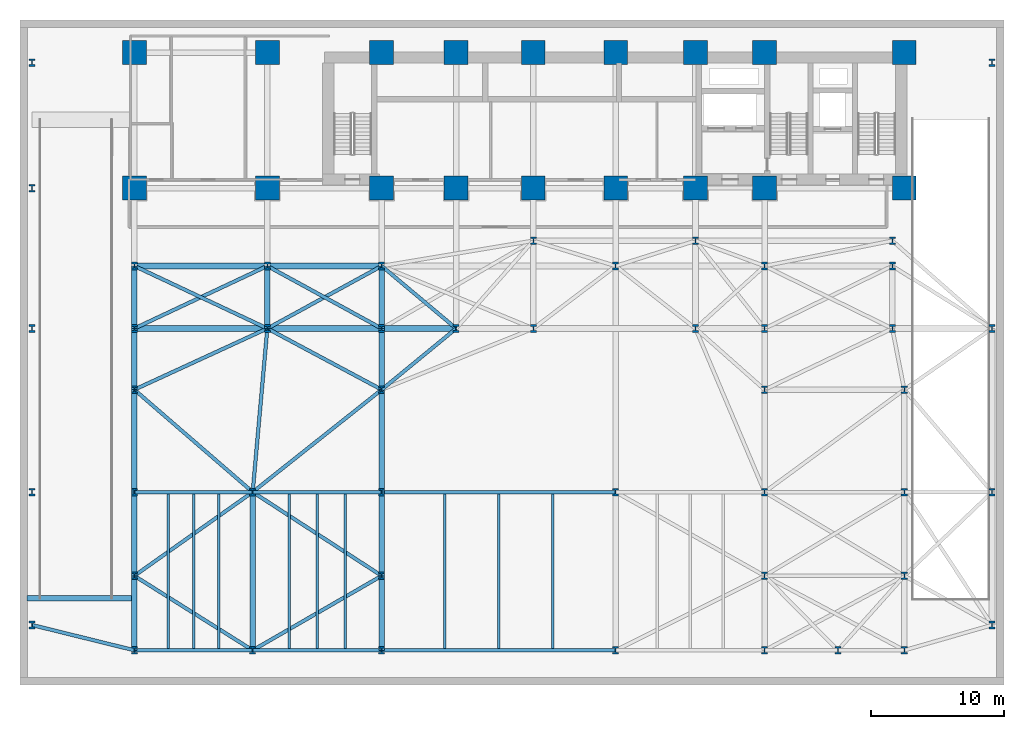
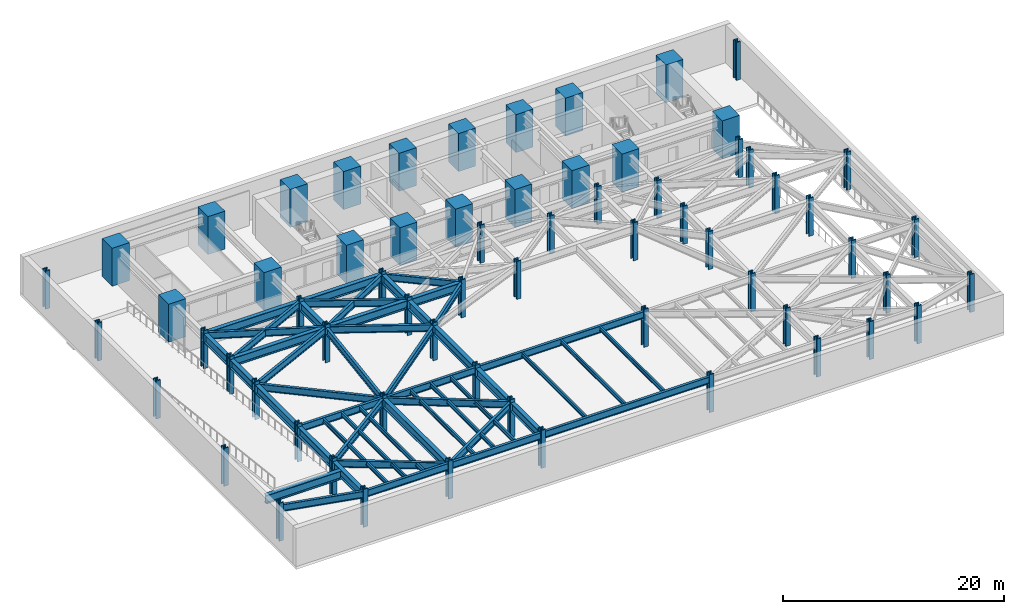
# One storey, part 1 of 11: 65 columns, 49 beams.
"""IFC4 building model written with IfcOpenShell, lengths in metres."""

from ifc_helpers import new_model, si_unit, direction, frame, origin, origin_2d, place, context, subcontext, project, spatial, rectangle, i_section, extrude, material, material_profile, profile_set, type_object, element, save


model = new_model("IFC4")

# Units and contexts
model_context = context("Model", 3, precision=1e-05, world=origin(), true_north=direction((0.0, 1.0)))
body_context = subcontext(model_context, "Body", "Model", "MODEL_VIEW")
ifc_project = project(units=[si_unit("LENGTHUNIT", "METRE"), si_unit("AREAUNIT", "SQUARE_METRE"), si_unit("VOLUMEUNIT", "CUBIC_METRE"), si_unit("PLANEANGLEUNIT", "RADIAN"), si_unit("MASSUNIT", "GRAM", prefix="KILO")], contexts=[model_context])

# Site, building, storey
site_placement = place(None, origin())
site = spatial("IfcSite", under=ifc_project, at=site_placement, CompositionType="ELEMENT")
building_placement = place(site_placement, origin())
building = spatial("IfcBuilding", under=site, at=building_placement, Name="Kravanh Interchange Tower", CompositionType="ELEMENT")
storey_placement = place(building_placement, frame((0.0, 0.0, -4.199951171875)))
storey = spatial("IfcBuildingStorey", under=building, at=storey_placement, Name="B1", CompositionType="ELEMENT", Elevation=-4.199951171875)

# Columns
ifc_material_1 = material(Name="Concrete C80/95", Category="concrete")
ifc_material_profile_1 = material_profile(ifc_material_1, rectangle(XDim=1.800048828125, YDim=1.800048828125, at=origin_2d()), Name="RC1800X1800")
ifc_profile_set_1 = profile_set([ifc_material_profile_1], Name="Concrete C80/95")
column_type_1 = type_object("IfcColumnType", Name="Column RC1800X1800 Concrete C80/95", PredefinedType="COLUMN", material=ifc_profile_set_1)
for number, where, z_axis, x_axis, name in (
    (1, (66.5, 47.550048828125, 0.0), (0.0, 0.0, 1.0), (1.0, 0.0, 0.0), "B1 Column CS01"),
    (2, (56.0, 47.550048828125, 0.0), (0.0, 0.0, 1.0), (1.0, 0.0, 0.0), "B1 Column CS02"),
    (3, (66.5, 37.35009765625, 0.0), (0.0, 0.0, 1.0), (1.0, 0.0, 0.0), "B1 Column CS03"),
    (4, (56.0, 37.35009765625, 0.0), (0.0, 0.0, 1.0), (1.0, 0.0, 0.0), "B1 Column CS04"),
    (5, (50.800048828125, 47.550048828125, 0.0), (0.0, 0.0, 1.0), (1.0, 0.0, 0.0), "B1 Column CS05"),
    (6, (50.800048828125, 37.35009765625, 0.0), (0.0, 0.0, 1.0), (1.0, 0.0, 0.0), "B1 Column CS06"),
    (7, (44.800048828125, 37.35009765625, 0.0), (0.0, 0.0, 1.0), (1.0, 0.0, 0.0), "B1 Column CS07"),
    (8, (44.800048828125, 47.550048828125, 0.0), (0.0, 0.0, 1.0), (1.0, 0.0, 0.0), "B1 Column CS08"),
    (9, (38.60009765625, 37.35009765625, 0.0), (0.0, 0.0, 1.0), (1.0, 0.0, 0.0), "B1 Column CS09"),
    (10, (38.60009765625, 47.550048828125, 0.0), (0.0, 0.0, 1.0), (1.0, 0.0, 0.0), "B1 Column CS10"),
    (11, (32.800048828125, 37.35009765625, 0.0), (0.0, 0.0, 1.0), (1.0, 0.0, 0.0), "B1 Column CS11"),
    (12, (32.800048828125, 47.550048828125, 0.0), (0.0, 0.0, 1.0), (1.0, 0.0, 0.0), "B1 Column CS12"),
    (13, (27.199951171875, 37.35009765625, 0.0), (0.0, 0.0, 1.0), (1.0, 0.0, 0.0), "B1 Column CS13"),
    (14, (27.199951171875, 47.550048828125, 0.0), (0.0, 0.0, 1.0), (1.0, 0.0, 0.0), "B1 Column CS14"),
    (15, (18.60009765625, 37.35009765625, 0.0), (0.0, 0.0, 1.0), (1.0, 0.0, 0.0), "B1 Column CS17"),
    (16, (18.60009765625, 47.550048828125, 0.0), (0.0, 0.0, 1.0), (1.0, 0.0, 0.0), "B1 Column CS18"),
    (17, (8.60009765625, 37.35009765625, 0.0), (0.0, 0.0, 1.0), (1.0, 0.0, 0.0), "B1 Column CS23"),
    (18, (8.60009765625, 47.550048828125, 0.0), (0.0, 0.0, 1.0), (1.0, 0.0, 0.0), "B1 Column CS24"),
):
    element("IfcColumn", number, at=place(storey_placement, frame(where, z_axis=z_axis, x_axis=x_axis)), inside=storey, type_object=column_type_1, Name=name, PredefinedType="COLUMN", context=body_context, shape_type="SweptSolid", body=[
        extrude(rectangle(XDim=1.800048828125, YDim=1.800048828125, at=origin_2d()), origin(), (0.0, 0.0, 1.0), 4.199951171875),
    ])
ifc_material_2 = material(Name="Structural Steel S450", Category="steel")
ifc_material_profile_2 = material_profile(ifc_material_2, i_section(OverallWidth=0.4541015625, OverallDepth=0.569091796875, WebThickness=0.077880859375, FlangeThickness=0.124755859375, FilletRadius=0.030029296875, at=origin_2d()), Name="W14X730")
ifc_profile_set_2 = profile_set([ifc_material_profile_2], Name="Structural Steel S450")
column_type_2 = type_object("IfcColumnType", Name="Column W14X730 Structural Steel S450", PredefinedType="COLUMN", material=ifc_profile_set_2)
for number, where, z_axis, x_axis, name in (
    (19, (8.60009765625, 2.60009765625, 0.0), (0.0, 0.0, 1.0), (1.0, 0.0, 0.0), "B1 Column CP01"),
    (20, (17.5, 2.60009765625, 0.0), (0.0, 0.0, 1.0), (1.0, 0.0, 0.0), "B1 Column CP02"),
    (21, (27.199951171875, 2.60009765625, 0.0), (0.0, 0.0, 1.0), (1.0, 0.0, 0.0), "B1 Column CP03"),
    (22, (44.800048828125, 2.60009765625, 0.0), (0.0, 0.0, 1.0), (1.0, 0.0, 0.0), "B1 Column CP04"),
    (23, (56.0, 2.60009765625, 0.0), (0.0, 0.0, 1.0), (1.0, 0.0, 0.0), "B1 Column CP05"),
    (24, (61.5, 2.60009765625, 0.0), (0.0, 0.0, 1.0), (1.0, 0.0, 0.0), "B1 Column CP05B"),
    (25, (66.5, 2.60009765625, 0.0), (0.0, 0.0, 1.0), (1.0, 0.0, 0.0), "B1 Column CP06"),
    (26, (8.60009765625, 8.199951171875, 0.0), (0.0, 0.0, 1.0), (1.0, 0.0, 0.0), "B1 Column CP06B"),
    (27, (27.199951171875, 8.199951171875, 0.0), (0.0, 0.0, 1.0), (1.0, 0.0, 0.0), "B1 Column CP06C"),
    (28, (56.0, 8.199951171875, 0.0), (0.0, 0.0, 1.0), (1.0, 0.0, 0.0), "B1 Column CP06D"),
    (29, (66.5, 8.199951171875, 0.0), (0.0, 0.0, 1.0), (1.0, 0.0, 0.0), "B1 Column CP06E"),
    (30, (8.60009765625, 14.5, 0.0), (0.0, 0.0, 1.0), (1.0, 0.0, 0.0), "B1 Column CP07"),
    (31, (17.5, 14.5, 0.0), (0.0, 0.0, 1.0), (1.0, 0.0, 0.0), "B1 Column CP08"),
    (32, (27.199951171875, 14.5, 0.0), (0.0, 0.0, 1.0), (1.0, 0.0, 0.0), "B1 Column CP09"),
    (33, (44.800048828125, 14.5, 0.0), (0.0, 0.0, 1.0), (1.0, 0.0, 0.0), "B1 Column CP10"),
    (34, (56.0, 14.5, 0.0), (0.0, 0.0, 1.0), (1.0, 0.0, 0.0), "B1 Column CP11"),
    (35, (66.5, 14.5, 0.0), (0.0, 0.0, 1.0), (1.0, 0.0, 0.0), "B1 Column CP12"),
    (36, (8.60009765625, 22.199951171875, 0.0), (0.0, 0.0, 1.0), (1.0, 0.0, 0.0), "B1 Column CP12B"),
    (37, (27.199951171875, 22.199951171875, 0.0), (0.0, 0.0, 1.0), (1.0, 0.0, 0.0), "B1 Column CP12C"),
    (38, (56.0, 22.199951171875, 0.0), (0.0, 0.0, 1.0), (1.0, 0.0, 0.0), "B1 Column CP12D"),
    (39, (66.5, 22.199951171875, 0.0), (0.0, 0.0, 1.0), (1.0, 0.0, 0.0), "B1 Column CP12E"),
    (40, (8.60009765625, 26.800048828125, 0.0), (0.0, 0.0, 1.0), (1.0, 0.0, 0.0), "B1 Column CP13"),
    (41, (18.60009765625, 26.800048828125, 0.0), (0.0, 0.0, 1.0), (1.0, 0.0, 0.0), "B1 Column CP14"),
    (42, (27.199951171875, 26.800048828125, 0.0), (0.0, 0.0, 1.0), (1.0, 0.0, 0.0), "B1 Column CP15"),
    (43, (32.800048828125, 26.800048828125, 0.0), (0.0, 0.0, 1.0), (1.0, 0.0, 0.0), "B1 Column CP16"),
    (44, (38.60009765625, 26.800048828125, 0.0), (0.0, 0.0, 1.0), (1.0, 0.0, 0.0), "B1 Column CP16B"),
    (45, (50.800048828125, 26.800048828125, 0.0), (0.0, 0.0, 1.0), (1.0, 0.0, 0.0), "B1 Column CP17"),
    (46, (56.0, 26.800048828125, 0.0), (0.0, 0.0, 1.0), (1.0, 0.0, 0.0), "B1 Column CP18"),
    (47, (65.60009765625, 26.800048828125, 0.0), (0.0, 0.0, 1.0), (1.0, 0.0, 0.0), "B1 Column CP19"),
    (48, (8.60009765625, 31.5, 0.0), (0.0, 0.0, 1.0), (1.0, 0.0, 0.0), "B1 Column CP19B"),
    (49, (18.60009765625, 31.5, 0.0), (0.0, 0.0, 1.0), (1.0, 0.0, 0.0), "B1 Column CP20"),
    (50, (27.199951171875, 31.5, 0.0), (0.0, 0.0, 1.0), (1.0, 0.0, 0.0), "B1 Column CP21"),
    (51, (44.800048828125, 31.5, 0.0), (0.0, 0.0, 1.0), (1.0, 0.0, 0.0), "B1 Column CP22"),
    (52, (56.0, 31.5, 0.0), (0.0, 0.0, 1.0), (1.0, 0.0, 0.0), "B1 Column CP23"),
    (53, (65.60009765625, 31.5, 0.0), (0.0, 0.0, 1.0), (1.0, 0.0, 0.0), "B1 Column CP24"),
    (54, (0.89990234375, 4.5, 0.0), (0.0, 0.0, 1.0), (1.0, 0.0, 0.0), "B1 Column CP25"),
    (55, (0.89990234375, 14.5, 0.0), (0.0, 0.0, 1.0), (1.0, 0.0, 0.0), "B1 Column CP25B"),
    (56, (0.89990234375, 26.800048828125, 0.0), (0.0, 0.0, 1.0), (1.0, 0.0, 0.0), "B1 Column CP25C"),
    (57, (0.89990234375, 37.35009765625, 0.0), (0.0, 0.0, 1.0), (1.0, 0.0, 0.0), "B1 Column CP25D"),
    (58, (0.89990234375, 46.800048828125, 0.0), (0.0, 0.0, 1.0), (1.0, 0.0, 0.0), "B1 Column CP26"),
    (59, (73.10009765625, 4.5, 0.0), (0.0, 0.0, 1.0), (1.0, 0.0, 0.0), "B1 Column CP27"),
    (60, (73.10009765625, 14.5, 0.0), (0.0, 0.0, 1.0), (1.0, 0.0, 0.0), "B1 Column CP27B"),
    (61, (73.10009765625, 26.800048828125, 0.0), (0.0, 0.0, 1.0), (1.0, 0.0, 0.0), "B1 Column CP27C"),
    (62, (73.10009765625, 46.800048828125, 0.0), (0.0, 0.0, 1.0), (1.0, 0.0, 0.0), "B1 Column CP28"),
    (63, (38.60009765625, 33.39990234375, 0.0), (0.0, 0.0, 1.0), (1.0, 0.0, 0.0), "B1 Column CP_M1"),
    (64, (50.800048828125, 33.39990234375, 0.0), (0.0, 0.0, 1.0), (1.0, 0.0, 0.0), "B1 Column CP_M2"),
    (65, (65.60009765625, 33.39990234375, 0.0), (0.0, 0.0, 1.0), (1.0, 0.0, 0.0), "B1 Column CP_M3"),
):
    element("IfcColumn", number, at=place(storey_placement, frame(where, z_axis=z_axis, x_axis=x_axis)), inside=storey, type_object=column_type_2, Name=name, PredefinedType="COLUMN", context=body_context, shape_type="SweptSolid", body=[
        extrude(i_section(OverallWidth=0.4541015625, OverallDepth=0.569091796875, WebThickness=0.077880859375, FlangeThickness=0.124755859375, FilletRadius=0.030029296875, at=origin_2d()), origin(), (0.0, 0.0, 1.0), 4.199951171875),
    ])

# Beams
ifc_material_3 = material(Name="Structural Steel S450", Category="steel")
ifc_material_profile_3 = material_profile(ifc_material_3, i_section(OverallWidth=0.423095703125, OverallDepth=0.947998046875, WebThickness=0.02392578125, FlangeThickness=0.042724609375, FilletRadius=0.028076171875, at=origin_2d()), Name="W36X302")
ifc_profile_set_3 = profile_set([ifc_material_profile_3], Name="Structural Steel S450")
beam_type_1 = type_object("IfcBeamType", Name="Floor Beam W36X302 Structural Steel S450", PredefinedType="BEAM", material=ifc_profile_set_3)
beam_1_placement = place(storey_placement, frame((8.60009765625, 2.60009765625, 3.3759765625), z_axis=(0.0, 1.0, 0.0), x_axis=(-1.0, 0.0, 0.0)))
element("IfcBeam", 66, at=beam_1_placement, inside=storey, type_object=beam_type_1, Name="B1 Primary Floor Girder 1", PredefinedType="BEAM", context=body_context, shape_type="SweptSolid", body=[
    extrude(i_section(OverallWidth=0.423095703125, OverallDepth=0.947998046875, WebThickness=0.02392578125, FlangeThickness=0.042724609375, FilletRadius=0.028076171875, at=origin_2d()), origin(), (0.0, 0.0, 1.0), 5.599853515625),
])
beam_2_placement = place(storey_placement, frame((17.5, 2.60009765625, 3.3759765625), z_axis=(0.0, 1.0, 0.0), x_axis=(-1.0, 0.0, 0.0)))
element("IfcBeam", 67, at=beam_2_placement, inside=storey, type_object=beam_type_1, Name="B1 Primary Floor Girder 7", PredefinedType="BEAM", context=body_context, shape_type="SweptSolid", body=[
    extrude(i_section(OverallWidth=0.423095703125, OverallDepth=0.947998046875, WebThickness=0.02392578125, FlangeThickness=0.042724609375, FilletRadius=0.028076171875, at=origin_2d()), origin(), (0.0, 0.0, 1.0), 11.89990234375),
])
beam_3_placement = place(storey_placement, frame((27.199951171875, 2.60009765625, 3.3759765625), z_axis=(0.0, 1.0, 0.0), x_axis=(-1.0, 0.0, 0.0)))
element("IfcBeam", 68, at=beam_3_placement, inside=storey, type_object=beam_type_1, Name="B1 Primary Floor Girder 8", PredefinedType="BEAM", context=body_context, shape_type="SweptSolid", body=[
    extrude(i_section(OverallWidth=0.423095703125, OverallDepth=0.947998046875, WebThickness=0.02392578125, FlangeThickness=0.042724609375, FilletRadius=0.028076171875, at=origin_2d()), origin(), (0.0, 0.0, 1.0), 5.599853515625),
])
for number, where, z_axis, x_axis, name in (
    (69, (8.60009765625, 8.199951171875, 3.3759765625), (0.0, 1.0, 0.0), (-1.0, 0.0, 0.0), "B1 Primary Floor Girder 23"),
    (70, (27.199951171875, 8.199951171875, 3.3759765625), (0.0, 1.0, 0.0), (-1.0, 0.0, 0.0), "B1 Primary Floor Girder 27"),
):
    element("IfcBeam", number, at=place(storey_placement, frame(where, z_axis=z_axis, x_axis=x_axis)), inside=storey, type_object=beam_type_1, Name=name, PredefinedType="BEAM", context=body_context, shape_type="SweptSolid", body=[
        extrude(i_section(OverallWidth=0.423095703125, OverallDepth=0.947998046875, WebThickness=0.02392578125, FlangeThickness=0.042724609375, FilletRadius=0.028076171875, at=origin_2d()), origin(), (0.0, 0.0, 1.0), 6.300048828125),
    ])
for number, where, z_axis, x_axis, name in (
    (71, (8.60009765625, 14.5, 3.3759765625), (0.0, 1.0, 0.0), (-1.0, 0.0, 0.0), "B1 Primary Floor Girder 37"),
    (72, (27.199951171875, 14.5, 3.3759765625), (0.0, 1.0, 0.0), (-1.0, 0.0, 0.0), "B1 Primary Floor Girder 45"),
):
    element("IfcBeam", number, at=place(storey_placement, frame(where, z_axis=z_axis, x_axis=x_axis)), inside=storey, type_object=beam_type_1, Name=name, PredefinedType="BEAM", context=body_context, shape_type="SweptSolid", body=[
        extrude(i_section(OverallWidth=0.423095703125, OverallDepth=0.947998046875, WebThickness=0.02392578125, FlangeThickness=0.042724609375, FilletRadius=0.028076171875, at=origin_2d()), origin(), (0.0, 0.0, 1.0), 7.699951171875),
    ])
for number, where, z_axis, x_axis, name in (
    (73, (8.60009765625, 22.199951171875, 3.3759765625), (0.0, 1.0, 0.0), (-1.0, 0.0, 0.0), "B1 Primary Floor Girder 57"),
    (74, (27.199951171875, 22.199951171875, 3.3759765625), (0.0, 1.0, 0.0), (-1.0, 0.0, 0.0), "B1 Primary Floor Girder 61"),
):
    element("IfcBeam", number, at=place(storey_placement, frame(where, z_axis=z_axis, x_axis=x_axis)), inside=storey, type_object=beam_type_1, Name=name, PredefinedType="BEAM", context=body_context, shape_type="SweptSolid", body=[
        extrude(i_section(OverallWidth=0.423095703125, OverallDepth=0.947998046875, WebThickness=0.02392578125, FlangeThickness=0.042724609375, FilletRadius=0.028076171875, at=origin_2d()), origin(), (0.0, 0.0, 1.0), 4.60009765625),
    ])
beam_4_placement = place(storey_placement, frame((8.60009765625, 26.800048828125, 3.3759765625), z_axis=(0.0, 1.0, 0.0), x_axis=(-1.0, 0.0, 0.0)))
element("IfcBeam", 75, at=beam_4_placement, inside=storey, type_object=beam_type_1, Name="B1 Primary Floor Girder 73", PredefinedType="BEAM", context=body_context, shape_type="SweptSolid", body=[
    extrude(i_section(OverallWidth=0.423095703125, OverallDepth=0.947998046875, WebThickness=0.02392578125, FlangeThickness=0.042724609375, FilletRadius=0.028076171875, at=origin_2d()), origin(), (0.0, 0.0, 1.0), 4.699951171875),
])
beam_5_placement = place(storey_placement, frame((8.60009765625, 26.800048828125, 3.3759765625), z_axis=(1.0, 0.0, 0.0), x_axis=(0.0, 1.0, 0.0)))
element("IfcBeam", 76, at=beam_5_placement, inside=storey, type_object=beam_type_1, Name="B1 Primary Floor Girder 75", PredefinedType="BEAM", context=body_context, shape_type="SweptSolid", body=[
    extrude(i_section(OverallWidth=0.423095703125, OverallDepth=0.947998046875, WebThickness=0.02392578125, FlangeThickness=0.042724609375, FilletRadius=0.028076171875, at=origin_2d()), origin(), (0.0, 0.0, 1.0), 10.0),
])
beam_6_placement = place(storey_placement, frame((18.60009765625, 26.800048828125, 3.3759765625), z_axis=(0.0, 1.0, 0.0), x_axis=(-1.0, 0.0, 0.0)))
element("IfcBeam", 77, at=beam_6_placement, inside=storey, type_object=beam_type_1, Name="B1 Primary Floor Girder 77", PredefinedType="BEAM", context=body_context, shape_type="SweptSolid", body=[
    extrude(i_section(OverallWidth=0.423095703125, OverallDepth=0.947998046875, WebThickness=0.02392578125, FlangeThickness=0.042724609375, FilletRadius=0.028076171875, at=origin_2d()), origin(), (0.0, 0.0, 1.0), 4.699951171875),
])
beam_7_placement = place(storey_placement, frame((18.60009765625, 26.800048828125, 3.3759765625), z_axis=(1.0, 0.0, 0.0), x_axis=(0.0, 1.0, 0.0)))
element("IfcBeam", 78, at=beam_7_placement, inside=storey, type_object=beam_type_1, Name="B1 Primary Floor Girder 78", PredefinedType="BEAM", context=body_context, shape_type="SweptSolid", body=[
    extrude(i_section(OverallWidth=0.423095703125, OverallDepth=0.947998046875, WebThickness=0.02392578125, FlangeThickness=0.042724609375, FilletRadius=0.028076171875, at=origin_2d()), origin(), (0.0, 0.0, 1.0), 8.599853515625),
])
beam_8_placement = place(storey_placement, frame((27.199951171875, 26.800048828125, 3.3759765625), z_axis=(0.0, 1.0, 0.0), x_axis=(-1.0, 0.0, 0.0)))
element("IfcBeam", 79, at=beam_8_placement, inside=storey, type_object=beam_type_1, Name="B1 Primary Floor Girder 81", PredefinedType="BEAM", context=body_context, shape_type="SweptSolid", body=[
    extrude(i_section(OverallWidth=0.423095703125, OverallDepth=0.947998046875, WebThickness=0.02392578125, FlangeThickness=0.042724609375, FilletRadius=0.028076171875, at=origin_2d()), origin(), (0.0, 0.0, 1.0), 4.699951171875),
])
beam_9_placement = place(storey_placement, frame((27.199951171875, 26.800048828125, 3.3759765625), z_axis=(1.0, 0.0, 0.0), x_axis=(0.0, 1.0, 0.0)))
element("IfcBeam", 80, at=beam_9_placement, inside=storey, type_object=beam_type_1, Name="B1 Primary Floor Girder 82", PredefinedType="BEAM", context=body_context, shape_type="SweptSolid", body=[
    extrude(i_section(OverallWidth=0.423095703125, OverallDepth=0.947998046875, WebThickness=0.02392578125, FlangeThickness=0.042724609375, FilletRadius=0.028076171875, at=origin_2d()), origin(), (0.0, 0.0, 1.0), 5.60009765625),
])
beam_10_placement = place(storey_placement, frame((8.60009765625, 31.5, 3.3759765625), z_axis=(1.0, 0.0, 0.0), x_axis=(0.0, 1.0, 0.0)))
element("IfcBeam", 81, at=beam_10_placement, inside=storey, type_object=beam_type_1, Name="B1 Primary Floor Girder 107", PredefinedType="BEAM", context=body_context, shape_type="SweptSolid", body=[
    extrude(i_section(OverallWidth=0.423095703125, OverallDepth=0.947998046875, WebThickness=0.02392578125, FlangeThickness=0.042724609375, FilletRadius=0.028076171875, at=origin_2d()), origin(), (0.0, 0.0, 1.0), 10.0),
])
beam_11_placement = place(storey_placement, frame((18.60009765625, 31.5, 3.3759765625), z_axis=(1.0, 0.0, 0.0), x_axis=(0.0, 1.0, 0.0)))
element("IfcBeam", 82, at=beam_11_placement, inside=storey, type_object=beam_type_1, Name="B1 Primary Floor Girder 109", PredefinedType="BEAM", context=body_context, shape_type="SweptSolid", body=[
    extrude(i_section(OverallWidth=0.423095703125, OverallDepth=0.947998046875, WebThickness=0.02392578125, FlangeThickness=0.042724609375, FilletRadius=0.028076171875, at=origin_2d()), origin(), (0.0, 0.0, 1.0), 8.599853515625),
])
beam_12_placement = place(storey_placement, frame((0.530029296875, 6.5, 3.3759765625), z_axis=(1.0, 0.0, 0.0), x_axis=(0.0, 1.0, 0.0)))
element("IfcBeam", 83, at=beam_12_placement, inside=storey, type_object=beam_type_1, Name="L00 Vehicle Ramp R2 Portal Support Beam", PredefinedType="BEAM", context=body_context, shape_type="SweptSolid", body=[
    extrude(i_section(OverallWidth=0.423095703125, OverallDepth=0.947998046875, WebThickness=0.02392578125, FlangeThickness=0.042724609375, FilletRadius=0.028076171875, at=origin_2d()), origin(), (0.0, 0.0, 1.0), 7.863525390625),
])
ifc_material_4 = material(Name="Structural Steel S355", Category="steel")
ifc_material_profile_4 = material_profile(ifc_material_4, i_section(OverallWidth=0.18994140625, OverallDepth=0.45703125, WebThickness=0.009033203125, FlangeThickness=0.014404296875, FilletRadius=0.01806640625, at=origin_2d()), Name="W18X50")
ifc_profile_set_4 = profile_set([ifc_material_profile_4], Name="Structural Steel S355")
beam_type_2 = type_object("IfcBeamType", Name="Floor Joist W18X50 Structural Steel S355", PredefinedType="JOIST", material=ifc_profile_set_4)
for number, where, z_axis, x_axis, name in (
    (84, (11.14990234375, 2.728515625, 3.621337890625), (0.0, 1.0, 0.0), (-1.0, 0.0, 0.0), "B1 Secondary Floor Joist 1"),
    (85, (13.050048828125, 2.728515625, 3.621337890625), (0.0, 1.0, 0.0), (-1.0, 0.0, 0.0), "B1 Secondary Floor Joist 2"),
    (86, (14.949951171875, 2.728515625, 3.621337890625), (0.0, 1.0, 0.0), (-1.0, 0.0, 0.0), "B1 Secondary Floor Joist 3"),
    (87, (20.25, 2.728515625, 3.621337890625), (0.0, 1.0, 0.0), (-1.0, 0.0, 0.0), "B1 Secondary Floor Joist 4"),
    (88, (22.35009765625, 2.728515625, 3.621337890625), (0.0, 1.0, 0.0), (-1.0, 0.0, 0.0), "B1 Secondary Floor Joist 5"),
    (89, (24.449951171875, 2.728515625, 3.621337890625), (0.0, 1.0, 0.0), (-1.0, 0.0, 0.0), "B1 Secondary Floor Joist 6"),
    (90, (31.925048828125, 2.728515625, 3.621337890625), (0.0, 1.0, 0.0), (-1.0, 0.0, 0.0), "B1 Secondary Floor Joist 7"),
    (91, (36.0, 2.728515625, 3.621337890625), (0.0, 1.0, 0.0), (-1.0, 0.0, 0.0), "B1 Secondary Floor Joist 8"),
    (92, (40.074951171875, 2.728515625, 3.621337890625), (0.0, 1.0, 0.0), (-1.0, 0.0, 0.0), "B1 Secondary Floor Joist 9"),
):
    element("IfcBeam", number, at=place(storey_placement, frame(where, z_axis=z_axis, x_axis=x_axis)), inside=storey, type_object=beam_type_2, Name=name, PredefinedType="JOIST", context=body_context, shape_type="SweptSolid", body=[
        extrude(i_section(OverallWidth=0.18994140625, OverallDepth=0.45703125, WebThickness=0.009033203125, FlangeThickness=0.014404296875, FilletRadius=0.01806640625, at=origin_2d()), origin(), (0.0, 0.0, 1.0), 11.64306640625),
    ])
ifc_material_5 = material(Name="Structural Steel S355", Category="steel")
ifc_material_profile_5 = material_profile(ifc_material_5, i_section(OverallWidth=0.26708984375, OverallDepth=0.761962890625, WebThickness=0.014404296875, FlangeThickness=0.021484375, FilletRadius=0.02490234375, at=origin_2d()), Name="W30X116")
ifc_profile_set_5 = profile_set([ifc_material_profile_5], Name="Structural Steel S355")
beam_type_3 = type_object("IfcBeamType", Name="Floor Spandrel W30X116 Structural Steel S355", PredefinedType="SPANDREL", material=ifc_profile_set_5)
beam_13_placement = place(storey_placement, frame((8.60009765625, 2.60009765625, 3.468994140625), z_axis=(-0.970883936595, 0.239550373956, 0.0), x_axis=(-0.239550373956, -0.970883936595, 0.0)))
element("IfcBeam", 93, at=beam_13_placement, inside=storey, type_object=beam_type_3, Name="B1 Perimeter Spandrel 2", PredefinedType="SPANDREL", context=body_context, shape_type="SweptSolid", body=[
    extrude(i_section(OverallWidth=0.26708984375, OverallDepth=0.761962890625, WebThickness=0.014404296875, FlangeThickness=0.021484375, FilletRadius=0.02490234375, at=origin_2d()), origin(), (0.0, 0.0, 1.0), 7.93115234375),
])
beam_14_placement = place(storey_placement, frame((8.60009765625, 2.60009765625, 3.468994140625), z_axis=(1.0, 0.0, 0.0), x_axis=(0.0, 1.0, 0.0)))
element("IfcBeam", 94, at=beam_14_placement, inside=storey, type_object=beam_type_3, Name="B1 Perimeter Spandrel 3", PredefinedType="SPANDREL", context=body_context, shape_type="SweptSolid", body=[
    extrude(i_section(OverallWidth=0.26708984375, OverallDepth=0.761962890625, WebThickness=0.014404296875, FlangeThickness=0.021484375, FilletRadius=0.02490234375, at=origin_2d()), origin(), (0.0, 0.0, 1.0), 8.89990234375),
])
beam_15_placement = place(storey_placement, frame((17.5, 2.60009765625, 3.468994140625), z_axis=(1.0, 0.0, 0.0), x_axis=(0.0, 1.0, 0.0)))
element("IfcBeam", 95, at=beam_15_placement, inside=storey, type_object=beam_type_3, Name="B1 Perimeter Spandrel 4", PredefinedType="SPANDREL", context=body_context, shape_type="SweptSolid", body=[
    extrude(i_section(OverallWidth=0.26708984375, OverallDepth=0.761962890625, WebThickness=0.014404296875, FlangeThickness=0.021484375, FilletRadius=0.02490234375, at=origin_2d()), origin(), (0.0, 0.0, 1.0), 9.699951171875),
])
beam_16_placement = place(storey_placement, frame((17.5, 2.60009765625, 3.468994140625), z_axis=(-0.846395259538, 0.532555222143, 0.0), x_axis=(-0.532555222143, -0.846395259538, 0.0)))
element("IfcBeam", 96, at=beam_16_placement, inside=storey, type_object=beam_type_3, Name="B1 Perimeter Spandrel 5", PredefinedType="SPANDREL", context=body_context, shape_type="SweptSolid", body=[
    extrude(i_section(OverallWidth=0.26708984375, OverallDepth=0.761962890625, WebThickness=0.014404296875, FlangeThickness=0.021484375, FilletRadius=0.02490234375, at=origin_2d()), origin(), (0.0, 0.0, 1.0), 10.51513671875),
])
beam_17_placement = place(storey_placement, frame((17.5, 2.60009765625, 3.468994140625), z_axis=(0.866041482502, 0.499972149811, 0.0), x_axis=(-0.499972149811, 0.866041482502, 0.0)))
element("IfcBeam", 97, at=beam_17_placement, inside=storey, type_object=beam_type_3, Name="B1 Perimeter Spandrel 6", PredefinedType="SPANDREL", context=body_context, shape_type="SweptSolid", body=[
    extrude(i_section(OverallWidth=0.26708984375, OverallDepth=0.761962890625, WebThickness=0.014404296875, FlangeThickness=0.021484375, FilletRadius=0.02490234375, at=origin_2d()), origin(), (0.0, 0.0, 1.0), 11.200439453125),
])
beam_18_placement = place(storey_placement, frame((27.199951171875, 2.60009765625, 3.468994140625), z_axis=(1.0, 0.0, 0.0), x_axis=(0.0, 1.0, 0.0)))
element("IfcBeam", 98, at=beam_18_placement, inside=storey, type_object=beam_type_3, Name="B1 Perimeter Spandrel 9", PredefinedType="SPANDREL", context=body_context, shape_type="SweptSolid", body=[
    extrude(i_section(OverallWidth=0.26708984375, OverallDepth=0.761962890625, WebThickness=0.014404296875, FlangeThickness=0.021484375, FilletRadius=0.02490234375, at=origin_2d()), origin(), (0.0, 0.0, 1.0), 17.60009765625),
])
beam_19_placement = place(storey_placement, frame((8.60009765625, 8.199951171875, 3.468994140625), z_axis=(0.816199576272, 0.577770068187, 0.0), x_axis=(-0.577770068187, 0.816199576272, 0.0)))
element("IfcBeam", 99, at=beam_19_placement, inside=storey, type_object=beam_type_3, Name="B1 Perimeter Spandrel 26", PredefinedType="SPANDREL", context=body_context, shape_type="SweptSolid", body=[
    extrude(i_section(OverallWidth=0.26708984375, OverallDepth=0.761962890625, WebThickness=0.014404296875, FlangeThickness=0.021484375, FilletRadius=0.02490234375, at=origin_2d()), origin(), (0.0, 0.0, 1.0), 10.904052734375),
])
beam_20_placement = place(storey_placement, frame((27.199951171875, 8.199951171875, 3.468994140625), z_axis=(-0.838637911458, 0.544689318295, 0.0), x_axis=(-0.544689318295, -0.838637911458, 0.0)))
element("IfcBeam", 100, at=beam_20_placement, inside=storey, type_object=beam_type_3, Name="B1 Perimeter Spandrel 28", PredefinedType="SPANDREL", context=body_context, shape_type="SweptSolid", body=[
    extrude(i_section(OverallWidth=0.26708984375, OverallDepth=0.761962890625, WebThickness=0.014404296875, FlangeThickness=0.021484375, FilletRadius=0.02490234375, at=origin_2d()), origin(), (0.0, 0.0, 1.0), 11.56640625),
])
beam_21_placement = place(storey_placement, frame((8.60009765625, 14.5, 3.468994140625), z_axis=(1.0, 0.0, 0.0), x_axis=(0.0, 1.0, 0.0)))
element("IfcBeam", 101, at=beam_21_placement, inside=storey, type_object=beam_type_3, Name="B1 Perimeter Spandrel 39", PredefinedType="SPANDREL", context=body_context, shape_type="SweptSolid", body=[
    extrude(i_section(OverallWidth=0.26708984375, OverallDepth=0.761962890625, WebThickness=0.014404296875, FlangeThickness=0.021484375, FilletRadius=0.02490234375, at=origin_2d()), origin(), (0.0, 0.0, 1.0), 8.89990234375),
])
beam_22_placement = place(storey_placement, frame((17.5, 14.5, 3.468994140625), z_axis=(1.0, 0.0, 0.0), x_axis=(0.0, 1.0, 0.0)))
element("IfcBeam", 102, at=beam_22_placement, inside=storey, type_object=beam_type_3, Name="B1 Perimeter Spandrel 41", PredefinedType="SPANDREL", context=body_context, shape_type="SweptSolid", body=[
    extrude(i_section(OverallWidth=0.26708984375, OverallDepth=0.761962890625, WebThickness=0.014404296875, FlangeThickness=0.021484375, FilletRadius=0.02490234375, at=origin_2d()), origin(), (0.0, 0.0, 1.0), 9.699951171875),
])
beam_23_placement = place(storey_placement, frame((17.5, 14.5, 3.468994140625), z_axis=(-0.756248034465, 0.654285037554, 0.0), x_axis=(-0.654285037554, -0.756248034465, 0.0)))
element("IfcBeam", 103, at=beam_23_placement, inside=storey, type_object=beam_type_3, Name="B1 Perimeter Spandrel 42", PredefinedType="SPANDREL", context=body_context, shape_type="SweptSolid", body=[
    extrude(i_section(OverallWidth=0.26708984375, OverallDepth=0.761962890625, WebThickness=0.014404296875, FlangeThickness=0.021484375, FilletRadius=0.02490234375, at=origin_2d()), origin(), (0.0, 0.0, 1.0), 11.7685546875),
])
beam_24_placement = place(storey_placement, frame((17.5, 14.5, 3.468994140625), z_axis=(0.089082890706, 0.996024215862, 0.0), x_axis=(-0.996024215862, 0.089082890706, 0.0)))
element("IfcBeam", 104, at=beam_24_placement, inside=storey, type_object=beam_type_3, Name="B1 Perimeter Spandrel 43", PredefinedType="SPANDREL", context=body_context, shape_type="SweptSolid", body=[
    extrude(i_section(OverallWidth=0.26708984375, OverallDepth=0.761962890625, WebThickness=0.014404296875, FlangeThickness=0.021484375, FilletRadius=0.02490234375, at=origin_2d()), origin(), (0.0, 0.0, 1.0), 12.34912109375),
])
beam_25_placement = place(storey_placement, frame((17.5, 14.5, 3.468994140625), z_axis=(0.78322688578, 0.621735993321, 0.0), x_axis=(-0.621735993321, 0.78322688578, 0.0)))
element("IfcBeam", 105, at=beam_25_placement, inside=storey, type_object=beam_type_3, Name="B1 Perimeter Spandrel 44", PredefinedType="SPANDREL", context=body_context, shape_type="SweptSolid", body=[
    extrude(i_section(OverallWidth=0.26708984375, OverallDepth=0.761962890625, WebThickness=0.014404296875, FlangeThickness=0.021484375, FilletRadius=0.02490234375, at=origin_2d()), origin(), (0.0, 0.0, 1.0), 12.384521484375),
])
beam_26_placement = place(storey_placement, frame((27.199951171875, 14.5, 3.468994140625), z_axis=(1.0, 0.0, 0.0), x_axis=(0.0, 1.0, 0.0)))
element("IfcBeam", 106, at=beam_26_placement, inside=storey, type_object=beam_type_3, Name="B1 Perimeter Spandrel 46", PredefinedType="SPANDREL", context=body_context, shape_type="SweptSolid", body=[
    extrude(i_section(OverallWidth=0.26708984375, OverallDepth=0.761962890625, WebThickness=0.014404296875, FlangeThickness=0.021484375, FilletRadius=0.02490234375, at=origin_2d()), origin(), (0.0, 0.0, 1.0), 17.60009765625),
])
beam_27_placement = place(storey_placement, frame((8.60009765625, 22.199951171875, 3.468994140625), z_axis=(0.908487084298, 0.417912930721, 0.0), x_axis=(-0.417912930721, 0.908487084298, 0.0)))
element("IfcBeam", 107, at=beam_27_placement, inside=storey, type_object=beam_type_3, Name="B1 Perimeter Spandrel 60", PredefinedType="SPANDREL", context=body_context, shape_type="SweptSolid", body=[
    extrude(i_section(OverallWidth=0.26708984375, OverallDepth=0.761962890625, WebThickness=0.014404296875, FlangeThickness=0.021484375, FilletRadius=0.02490234375, at=origin_2d()), origin(), (0.0, 0.0, 1.0), 11.00732421875),
])
beam_28_placement = place(storey_placement, frame((27.199951171875, 22.199951171875, 3.468994140625), z_axis=(0.772725074305, 0.634740860147, 0.0), x_axis=(-0.634740860147, 0.772725074305, 0.0)))
element("IfcBeam", 108, at=beam_28_placement, inside=storey, type_object=beam_type_3, Name="B1 Perimeter Spandrel 62", PredefinedType="SPANDREL", context=body_context, shape_type="SweptSolid", body=[
    extrude(i_section(OverallWidth=0.26708984375, OverallDepth=0.761962890625, WebThickness=0.014404296875, FlangeThickness=0.021484375, FilletRadius=0.02490234375, at=origin_2d()), origin(), (0.0, 0.0, 1.0), 7.247314453125),
])
beam_29_placement = place(storey_placement, frame((27.199951171875, 22.199951171875, 3.468994140625), z_axis=(-0.881777136221, 0.471666282489, 0.0), x_axis=(-0.471666282489, -0.881777136221, 0.0)))
element("IfcBeam", 109, at=beam_29_placement, inside=storey, type_object=beam_type_3, Name="B1 Perimeter Spandrel 63", PredefinedType="SPANDREL", context=body_context, shape_type="SweptSolid", body=[
    extrude(i_section(OverallWidth=0.26708984375, OverallDepth=0.761962890625, WebThickness=0.014404296875, FlangeThickness=0.021484375, FilletRadius=0.02490234375, at=origin_2d()), origin(), (0.0, 0.0, 1.0), 9.7529296875),
])
beam_30_placement = place(storey_placement, frame((8.60009765625, 26.800048828125, 3.468994140625), z_axis=(0.905025402916, 0.425357520301, 0.0), x_axis=(-0.425357520301, 0.905025402916, 0.0)))
element("IfcBeam", 110, at=beam_30_placement, inside=storey, type_object=beam_type_3, Name="B1 Perimeter Spandrel 76", PredefinedType="SPANDREL", context=body_context, shape_type="SweptSolid", body=[
    extrude(i_section(OverallWidth=0.26708984375, OverallDepth=0.761962890625, WebThickness=0.014404296875, FlangeThickness=0.021484375, FilletRadius=0.02490234375, at=origin_2d()), origin(), (0.0, 0.0, 1.0), 11.04931640625),
])
beam_31_placement = place(storey_placement, frame((18.60009765625, 26.800048828125, 3.468994140625), z_axis=(0.877503996342, 0.479569323877, 0.0), x_axis=(-0.479569323877, 0.877503996342, 0.0)))
element("IfcBeam", 111, at=beam_31_placement, inside=storey, type_object=beam_type_3, Name="B1 Perimeter Spandrel 79", PredefinedType="SPANDREL", context=body_context, shape_type="SweptSolid", body=[
    extrude(i_section(OverallWidth=0.26708984375, OverallDepth=0.761962890625, WebThickness=0.014404296875, FlangeThickness=0.021484375, FilletRadius=0.02490234375, at=origin_2d()), origin(), (0.0, 0.0, 1.0), 9.80029296875),
])
beam_32_placement = place(storey_placement, frame((18.60009765625, 26.800048828125, 3.468994140625), z_axis=(-0.905025402916, 0.425357520301, 0.0), x_axis=(-0.425357520301, -0.905025402916, 0.0)))
element("IfcBeam", 112, at=beam_32_placement, inside=storey, type_object=beam_type_3, Name="B1 Perimeter Spandrel 80", PredefinedType="SPANDREL", context=body_context, shape_type="SweptSolid", body=[
    extrude(i_section(OverallWidth=0.26708984375, OverallDepth=0.761962890625, WebThickness=0.014404296875, FlangeThickness=0.021484375, FilletRadius=0.02490234375, at=origin_2d()), origin(), (0.0, 0.0, 1.0), 11.04931640625),
])
beam_33_placement = place(storey_placement, frame((27.199951171875, 26.800048828125, 3.468994140625), z_axis=(-0.877503996342, 0.479569323877, 0.0), x_axis=(-0.479569323877, -0.877503996342, 0.0)))
element("IfcBeam", 113, at=beam_33_placement, inside=storey, type_object=beam_type_3, Name="B1 Perimeter Spandrel 83", PredefinedType="SPANDREL", context=body_context, shape_type="SweptSolid", body=[
    extrude(i_section(OverallWidth=0.26708984375, OverallDepth=0.761962890625, WebThickness=0.014404296875, FlangeThickness=0.021484375, FilletRadius=0.02490234375, at=origin_2d()), origin(), (0.0, 0.0, 1.0), 9.80029296875),
])
beam_34_placement = place(storey_placement, frame((32.800048828125, 26.800048828125, 3.468994140625), z_axis=(-0.765983062929, 0.642860752657, 0.0), x_axis=(-0.642860752657, -0.765983062929, 0.0)))
element("IfcBeam", 114, at=beam_34_placement, inside=storey, type_object=beam_type_3, Name="B1 Perimeter Spandrel 86", PredefinedType="SPANDREL", context=body_context, shape_type="SweptSolid", body=[
    extrude(i_section(OverallWidth=0.26708984375, OverallDepth=0.761962890625, WebThickness=0.014404296875, FlangeThickness=0.021484375, FilletRadius=0.02490234375, at=origin_2d()), origin(), (0.0, 0.0, 1.0), 7.31103515625),
])

save(model, "model.ifc")
